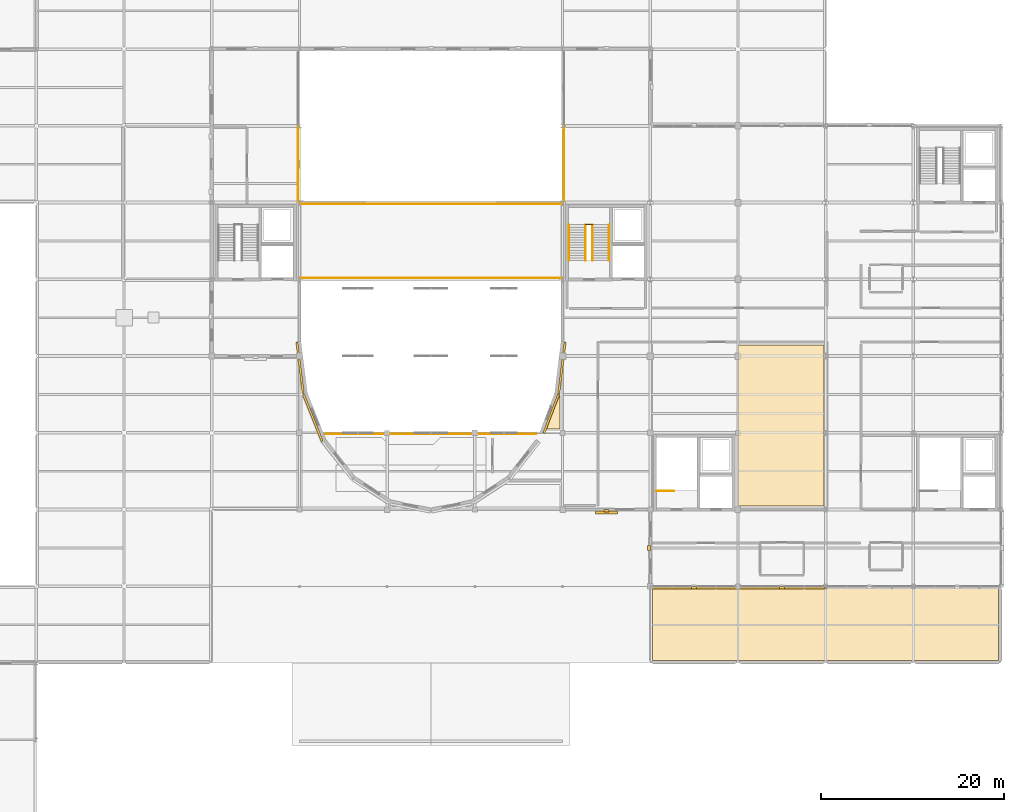
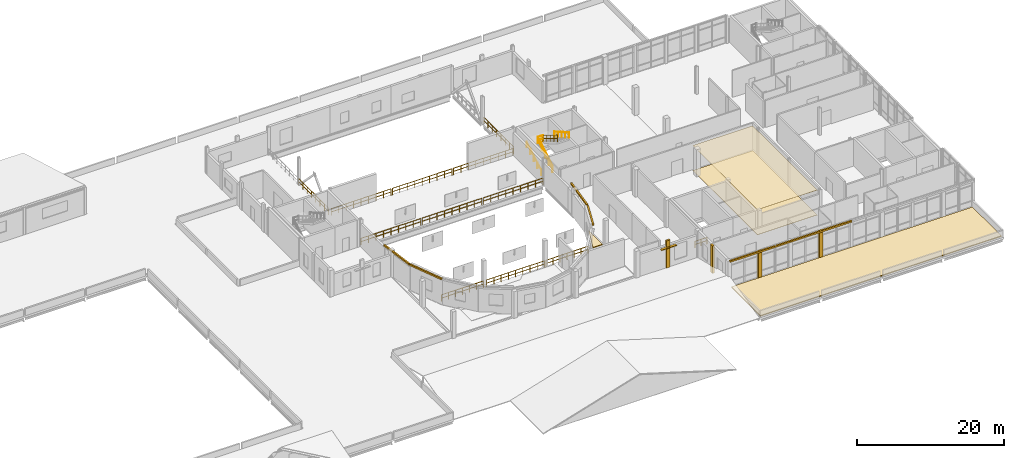
# One storey, part 50 of 52: 17 railings, 14 coverings, 1 shading device.
"""IFC4 building model written with IfcOpenShell, lengths in metres."""

from ifc_helpers import new_model, si_unit, direction, frame, origin, origin_2d, place, context, subcontext, project, spatial, polyline, rectangle, circle, outline, extrude, material, layer, layer_set, type_object, element, save


model = new_model("IFC4")

# Units and contexts
model_context = context("Model", 3, precision=1e-05, world=origin(), true_north=direction((0.0, 1.0)))
body_context = subcontext(model_context, "Body", "Model", "MODEL_VIEW")
ifc_project = project(units=[si_unit("LENGTHUNIT", "METRE"), si_unit("AREAUNIT", "SQUARE_METRE"), si_unit("VOLUMEUNIT", "CUBIC_METRE"), si_unit("PLANEANGLEUNIT", "RADIAN"), si_unit("MASSUNIT", "GRAM", prefix="KILO")], contexts=[model_context])

# Site, building, storey
site_placement = place(None, origin())
site = spatial("IfcSite", under=ifc_project, at=site_placement, CompositionType="ELEMENT")
building_placement = place(site_placement, origin())
building = spatial("IfcBuilding", under=site, at=building_placement, Name="Lornevale Opera House", CompositionType="ELEMENT")
storey_placement = place(building_placement, frame((0.0, 0.0, 15.0)))
storey = spatial("IfcBuildingStorey", under=building, at=storey_placement, Name="L04", CompositionType="ELEMENT", Elevation=15.0)

# Railings
ifc_material_1 = material(Name="Structural Steel CSA G40.21 Grade 350W (350 MPa)", Category="steel")
ifc_layer_1 = layer(ifc_material_1, 0.06005859375)
ifc_layer_set_1 = layer_set([ifc_layer_1], Name="Structural Steel CSA G40.21 Grade 350W (350 MPa)")
railing_type_1 = type_object("IfcRailingType", Name="Atrium Acoustic Balustrade 1120", PredefinedType="BALUSTRADE", material=ifc_layer_set_1)
railing_1_placement = place(storey_placement, frame((67.06005859375, 67.320068359375, 0.0)))
element("IfcRailing", 1, at=railing_1_placement, inside=storey, type_object=railing_type_1, Name="Atrium & Bowl Balustrade L04 0371", PredefinedType="BALUSTRADE", context=body_context, shape_type="SweptSolid", body=[
    extrude(circle(Radius=0.02392578125, at=origin_2d()), frame((0.0, 0.0, 1.09619140625), z_axis=(0.0, 1.0, 0.0), x_axis=(-1.0, 0.0, 0.0)), (0.0, 0.0, 1.0), 8.159912109375),
    extrude(circle(Radius=0.02392578125, at=origin_2d()), frame((0.0, 0.0, 0.56005859375), z_axis=(0.0, 1.0, 0.0), x_axis=(-1.0, 0.0, 0.0)), (0.0, 0.0, 1.0), 8.159912109375),
    extrude(circle(Radius=0.02099609375, at=origin_2d()), origin(), (0.0, 0.0, 1.0), 1.072021484375),
    extrude(circle(Radius=0.02099609375, at=origin_2d()), frame((0.0, 1.165771484375, 0.0)), (0.0, 0.0, 1.0), 1.072021484375),
    extrude(circle(Radius=0.02099609375, at=origin_2d()), frame((0.0, 2.331298828125, 0.0)), (0.0, 0.0, 1.0), 1.072021484375),
    extrude(circle(Radius=0.02099609375, at=origin_2d()), frame((0.0, 3.4970703125, 0.0)), (0.0, 0.0, 1.0), 1.072021484375),
    extrude(circle(Radius=0.02099609375, at=origin_2d()), frame((0.0, 4.662841796875, 0.0)), (0.0, 0.0, 1.0), 1.072021484375),
    extrude(circle(Radius=0.02099609375, at=origin_2d()), frame((0.0, 5.82861328125, 0.0)), (0.0, 0.0, 1.0), 1.072021484375),
    extrude(circle(Radius=0.02099609375, at=origin_2d()), frame((0.0, 6.994140625, 0.0)), (0.0, 0.0, 1.0), 1.072021484375),
    extrude(circle(Radius=0.02099609375, at=origin_2d()), frame((0.0, 8.159912109375, 0.0)), (0.0, 0.0, 1.0), 1.072021484375),
])
railing_2_placement = place(storey_placement, frame((70.10009765625, 41.860107421875, 0.0)))
element("IfcRailing", 2, at=railing_2_placement, inside=storey, type_object=railing_type_1, Name="Atrium & Bowl Balustrade L04 0373", PredefinedType="BALUSTRADE", context=body_context, shape_type="SweptSolid", body=[
    extrude(circle(Radius=0.02392578125, at=origin_2d()), frame((0.0, 0.0, 1.09619140625), z_axis=(1.0, 0.0, 0.0), x_axis=(0.0, 1.0, 0.0)), (0.0, 0.0, 1.0), 6.579833984375),
    extrude(circle(Radius=0.02392578125, at=origin_2d()), frame((0.0, 0.0, 0.56005859375), z_axis=(1.0, 0.0, 0.0), x_axis=(0.0, 1.0, 0.0)), (0.0, 0.0, 1.0), 6.579833984375),
    extrude(circle(Radius=0.02099609375, at=origin_2d()), origin(), (0.0, 0.0, 1.0), 1.072021484375),
    extrude(circle(Radius=0.02099609375, at=origin_2d()), frame((1.0966796875, 0.0, 0.0)), (0.0, 0.0, 1.0), 1.072021484375),
    extrude(circle(Radius=0.02099609375, at=origin_2d()), frame((2.193359375, 0.0, 0.0)), (0.0, 0.0, 1.0), 1.072021484375),
    extrude(circle(Radius=0.02099609375, at=origin_2d()), frame((3.2900390625, 0.0, 0.0)), (0.0, 0.0, 1.0), 1.072021484375),
    extrude(circle(Radius=0.02099609375, at=origin_2d()), frame((4.386474609375, 0.0, 0.0)), (0.0, 0.0, 1.0), 1.072021484375),
    extrude(circle(Radius=0.02099609375, at=origin_2d()), frame((5.483154296875, 0.0, 0.0)), (0.0, 0.0, 1.0), 1.072021484375),
    extrude(circle(Radius=0.02099609375, at=origin_2d()), frame((6.579833984375, 0.0, 0.0)), (0.0, 0.0, 1.0), 1.072021484375),
])
for number, where, name in (
    (3, (67.320068359375, 58.93994140625, 0.0), "Atrium & Bowl Balustrade L04 0374"),
    (4, (67.320068359375, 67.06005859375, 0.0), "Atrium & Bowl Balustrade L04 0375"),
):
    element("IfcRailing", number, at=place(storey_placement, frame(where)), inside=storey, type_object=railing_type_1, Name=name, PredefinedType="BALUSTRADE", context=body_context, shape_type="SweptSolid", body=[
        extrude(circle(Radius=0.02392578125, at=origin_2d()), frame((0.0, 0.0, 1.09619140625), z_axis=(1.0, 0.0, 0.0), x_axis=(0.0, 1.0, 0.0)), (0.0, 0.0, 1.0), 9.35986328125),
        extrude(circle(Radius=0.02392578125, at=origin_2d()), frame((0.0, 0.0, 0.56005859375), z_axis=(1.0, 0.0, 0.0), x_axis=(0.0, 1.0, 0.0)), (0.0, 0.0, 1.0), 9.35986328125),
        extrude(circle(Radius=0.02099609375, at=origin_2d()), origin(), (0.0, 0.0, 1.0), 1.072021484375),
        extrude(circle(Radius=0.02099609375, at=origin_2d()), frame((1.169921875, 0.0, 0.0)), (0.0, 0.0, 1.0), 1.072021484375),
        extrude(circle(Radius=0.02099609375, at=origin_2d()), frame((2.33984375, 0.0, 0.0)), (0.0, 0.0, 1.0), 1.072021484375),
        extrude(circle(Radius=0.02099609375, at=origin_2d()), frame((3.510009765625, 0.0, 0.0)), (0.0, 0.0, 1.0), 1.072021484375),
        extrude(circle(Radius=0.02099609375, at=origin_2d()), frame((4.679931640625, 0.0, 0.0)), (0.0, 0.0, 1.0), 1.072021484375),
        extrude(circle(Radius=0.02099609375, at=origin_2d()), frame((5.849853515625, 0.0, 0.0)), (0.0, 0.0, 1.0), 1.072021484375),
        extrude(circle(Radius=0.02099609375, at=origin_2d()), frame((7.02001953125, 0.0, 0.0)), (0.0, 0.0, 1.0), 1.072021484375),
        extrude(circle(Radius=0.02099609375, at=origin_2d()), frame((8.18994140625, 0.0, 0.0)), (0.0, 0.0, 1.0), 1.072021484375),
        extrude(circle(Radius=0.02099609375, at=origin_2d()), frame((9.35986328125, 0.0, 0.0)), (0.0, 0.0, 1.0), 1.072021484375),
    ])
railing_3_placement = place(storey_placement, frame((77.179931640625, 41.860107421875, 0.0)))
element("IfcRailing", 5, at=railing_3_placement, inside=storey, type_object=railing_type_1, Name="Atrium & Bowl Balustrade L04 0376", PredefinedType="BALUSTRADE", context=body_context, shape_type="SweptSolid", body=[
    extrude(circle(Radius=0.02392578125, at=origin_2d()), frame((0.0, 0.0, 1.09619140625), z_axis=(1.0, 0.0, 0.0), x_axis=(0.0, 1.0, 0.0)), (0.0, 0.0, 1.0), 9.10009765625),
    extrude(circle(Radius=0.02392578125, at=origin_2d()), frame((0.0, 0.0, 0.56005859375), z_axis=(1.0, 0.0, 0.0), x_axis=(0.0, 1.0, 0.0)), (0.0, 0.0, 1.0), 9.10009765625),
    extrude(circle(Radius=0.02099609375, at=origin_2d()), origin(), (0.0, 0.0, 1.0), 1.072021484375),
    extrude(circle(Radius=0.02099609375, at=origin_2d()), frame((1.137451171875, 0.0, 0.0)), (0.0, 0.0, 1.0), 1.072021484375),
    extrude(circle(Radius=0.02099609375, at=origin_2d()), frame((2.27490234375, 0.0, 0.0)), (0.0, 0.0, 1.0), 1.072021484375),
    extrude(circle(Radius=0.02099609375, at=origin_2d()), frame((3.41259765625, 0.0, 0.0)), (0.0, 0.0, 1.0), 1.072021484375),
    extrude(circle(Radius=0.02099609375, at=origin_2d()), frame((4.550048828125, 0.0, 0.0)), (0.0, 0.0, 1.0), 1.072021484375),
    extrude(circle(Radius=0.02099609375, at=origin_2d()), frame((5.6875, 0.0, 0.0)), (0.0, 0.0, 1.0), 1.072021484375),
    extrude(circle(Radius=0.02099609375, at=origin_2d()), frame((6.8251953125, 0.0, 0.0)), (0.0, 0.0, 1.0), 1.072021484375),
    extrude(circle(Radius=0.02099609375, at=origin_2d()), frame((7.962646484375, 0.0, 0.0)), (0.0, 0.0, 1.0), 1.072021484375),
    extrude(circle(Radius=0.02099609375, at=origin_2d()), frame((9.10009765625, 0.0, 0.0)), (0.0, 0.0, 1.0), 1.072021484375),
])
for number, where, name in (
    (6, (76.919921875, 58.93994140625, 0.0), "Atrium & Bowl Balustrade L04 0377"),
    (7, (76.919921875, 67.06005859375, 0.0), "Atrium & Bowl Balustrade L04 0378"),
):
    element("IfcRailing", number, at=place(storey_placement, frame(where)), inside=storey, type_object=railing_type_1, Name=name, PredefinedType="BALUSTRADE", context=body_context, shape_type="SweptSolid", body=[
        extrude(circle(Radius=0.02392578125, at=origin_2d()), frame((0.0, 0.0, 1.09619140625), z_axis=(1.0, 0.0, 0.0), x_axis=(0.0, 1.0, 0.0)), (0.0, 0.0, 1.0), 9.360107421875),
        extrude(circle(Radius=0.02392578125, at=origin_2d()), frame((0.0, 0.0, 0.56005859375), z_axis=(1.0, 0.0, 0.0), x_axis=(0.0, 1.0, 0.0)), (0.0, 0.0, 1.0), 9.360107421875),
        extrude(circle(Radius=0.02099609375, at=origin_2d()), origin(), (0.0, 0.0, 1.0), 1.072021484375),
        extrude(circle(Radius=0.02099609375, at=origin_2d()), frame((1.169921875, 0.0, 0.0)), (0.0, 0.0, 1.0), 1.072021484375),
        extrude(circle(Radius=0.02099609375, at=origin_2d()), frame((2.340087890625, 0.0, 0.0)), (0.0, 0.0, 1.0), 1.072021484375),
        extrude(circle(Radius=0.02099609375, at=origin_2d()), frame((3.510009765625, 0.0, 0.0)), (0.0, 0.0, 1.0), 1.072021484375),
        extrude(circle(Radius=0.02099609375, at=origin_2d()), frame((4.68017578125, 0.0, 0.0)), (0.0, 0.0, 1.0), 1.072021484375),
        extrude(circle(Radius=0.02099609375, at=origin_2d()), frame((5.85009765625, 0.0, 0.0)), (0.0, 0.0, 1.0), 1.072021484375),
        extrude(circle(Radius=0.02099609375, at=origin_2d()), frame((7.02001953125, 0.0, 0.0)), (0.0, 0.0, 1.0), 1.072021484375),
        extrude(circle(Radius=0.02099609375, at=origin_2d()), frame((8.190185546875, 0.0, 0.0)), (0.0, 0.0, 1.0), 1.072021484375),
        extrude(circle(Radius=0.02099609375, at=origin_2d()), frame((9.360107421875, 0.0, 0.0)), (0.0, 0.0, 1.0), 1.072021484375),
    ])
railing_4_placement = place(storey_placement, frame((86.52001953125, 41.860107421875, 0.0)))
element("IfcRailing", 8, at=railing_4_placement, inside=storey, type_object=railing_type_1, Name="Atrium & Bowl Balustrade L04 0379", PredefinedType="BALUSTRADE", context=body_context, shape_type="SweptSolid", body=[
    extrude(circle(Radius=0.02392578125, at=origin_2d()), frame((0.0, 0.0, 1.09619140625), z_axis=(1.0, 0.0, 0.0), x_axis=(0.0, 1.0, 0.0)), (0.0, 0.0, 1.0), 6.580078125),
    extrude(circle(Radius=0.02392578125, at=origin_2d()), frame((0.0, 0.0, 0.56005859375), z_axis=(1.0, 0.0, 0.0), x_axis=(0.0, 1.0, 0.0)), (0.0, 0.0, 1.0), 6.580078125),
    extrude(circle(Radius=0.02099609375, at=origin_2d()), origin(), (0.0, 0.0, 1.0), 1.072021484375),
    extrude(circle(Radius=0.02099609375, at=origin_2d()), frame((1.0966796875, 0.0, 0.0)), (0.0, 0.0, 1.0), 1.072021484375),
    extrude(circle(Radius=0.02099609375, at=origin_2d()), frame((2.193359375, 0.0, 0.0)), (0.0, 0.0, 1.0), 1.072021484375),
    extrude(circle(Radius=0.02099609375, at=origin_2d()), frame((3.2900390625, 0.0, 0.0)), (0.0, 0.0, 1.0), 1.072021484375),
    extrude(circle(Radius=0.02099609375, at=origin_2d()), frame((4.38671875, 0.0, 0.0)), (0.0, 0.0, 1.0), 1.072021484375),
    extrude(circle(Radius=0.02099609375, at=origin_2d()), frame((5.4833984375, 0.0, 0.0)), (0.0, 0.0, 1.0), 1.072021484375),
    extrude(circle(Radius=0.02099609375, at=origin_2d()), frame((6.580078125, 0.0, 0.0)), (0.0, 0.0, 1.0), 1.072021484375),
])
for number, where, name in (
    (9, (86.52001953125, 58.93994140625, 0.0), "Atrium & Bowl Balustrade L04 0380"),
    (10, (86.52001953125, 67.06005859375, 0.0), "Atrium & Bowl Balustrade L04 0381"),
):
    element("IfcRailing", number, at=place(storey_placement, frame(where)), inside=storey, type_object=railing_type_1, Name=name, PredefinedType="BALUSTRADE", context=body_context, shape_type="SweptSolid", body=[
        extrude(circle(Radius=0.02392578125, at=origin_2d()), frame((0.0, 0.0, 1.09619140625), z_axis=(1.0, 0.0, 0.0), x_axis=(0.0, 1.0, 0.0)), (0.0, 0.0, 1.0), 9.35986328125),
        extrude(circle(Radius=0.02392578125, at=origin_2d()), frame((0.0, 0.0, 0.56005859375), z_axis=(1.0, 0.0, 0.0), x_axis=(0.0, 1.0, 0.0)), (0.0, 0.0, 1.0), 9.35986328125),
        extrude(circle(Radius=0.02099609375, at=origin_2d()), origin(), (0.0, 0.0, 1.0), 1.072021484375),
        extrude(circle(Radius=0.02099609375, at=origin_2d()), frame((1.169921875, 0.0, 0.0)), (0.0, 0.0, 1.0), 1.072021484375),
        extrude(circle(Radius=0.02099609375, at=origin_2d()), frame((2.33984375, 0.0, 0.0)), (0.0, 0.0, 1.0), 1.072021484375),
        extrude(circle(Radius=0.02099609375, at=origin_2d()), frame((3.510009765625, 0.0, 0.0)), (0.0, 0.0, 1.0), 1.072021484375),
        extrude(circle(Radius=0.02099609375, at=origin_2d()), frame((4.679931640625, 0.0, 0.0)), (0.0, 0.0, 1.0), 1.072021484375),
        extrude(circle(Radius=0.02099609375, at=origin_2d()), frame((5.849853515625, 0.0, 0.0)), (0.0, 0.0, 1.0), 1.072021484375),
        extrude(circle(Radius=0.02099609375, at=origin_2d()), frame((7.02001953125, 0.0, 0.0)), (0.0, 0.0, 1.0), 1.072021484375),
        extrude(circle(Radius=0.02099609375, at=origin_2d()), frame((8.18994140625, 0.0, 0.0)), (0.0, 0.0, 1.0), 1.072021484375),
        extrude(circle(Radius=0.02099609375, at=origin_2d()), frame((9.35986328125, 0.0, 0.0)), (0.0, 0.0, 1.0), 1.072021484375),
    ])
railing_5_placement = place(storey_placement, frame((96.139892578125, 67.320068359375, 0.0)))
element("IfcRailing", 11, at=railing_5_placement, inside=storey, type_object=railing_type_1, Name="Atrium & Bowl Balustrade L04 0382", PredefinedType="BALUSTRADE", context=body_context, shape_type="SweptSolid", body=[
    extrude(circle(Radius=0.02392578125, at=origin_2d()), frame((0.0, 0.0, 1.09619140625), z_axis=(0.0, 1.0, 0.0), x_axis=(-1.0, 0.0, 0.0)), (0.0, 0.0, 1.0), 8.159912109375),
    extrude(circle(Radius=0.02392578125, at=origin_2d()), frame((0.0, 0.0, 0.56005859375), z_axis=(0.0, 1.0, 0.0), x_axis=(-1.0, 0.0, 0.0)), (0.0, 0.0, 1.0), 8.159912109375),
    extrude(circle(Radius=0.02099609375, at=origin_2d()), origin(), (0.0, 0.0, 1.0), 1.072021484375),
    extrude(circle(Radius=0.02099609375, at=origin_2d()), frame((0.0, 1.165771484375, 0.0)), (0.0, 0.0, 1.0), 1.072021484375),
    extrude(circle(Radius=0.02099609375, at=origin_2d()), frame((0.0, 2.331298828125, 0.0)), (0.0, 0.0, 1.0), 1.072021484375),
    extrude(circle(Radius=0.02099609375, at=origin_2d()), frame((0.0, 3.4970703125, 0.0)), (0.0, 0.0, 1.0), 1.072021484375),
    extrude(circle(Radius=0.02099609375, at=origin_2d()), frame((0.0, 4.662841796875, 0.0)), (0.0, 0.0, 1.0), 1.072021484375),
    extrude(circle(Radius=0.02099609375, at=origin_2d()), frame((0.0, 5.82861328125, 0.0)), (0.0, 0.0, 1.0), 1.072021484375),
    extrude(circle(Radius=0.02099609375, at=origin_2d()), frame((0.0, 6.994140625, 0.0)), (0.0, 0.0, 1.0), 1.072021484375),
    extrude(circle(Radius=0.02099609375, at=origin_2d()), frame((0.0, 8.159912109375, 0.0)), (0.0, 0.0, 1.0), 1.072021484375),
])

# Coverings
ifc_material_2 = material(Name="Vegetated Extensive Green Roof Assembly")
ifc_layer_2 = layer(ifc_material_2, 0.159912109375)
ifc_layer_set_2 = layer_set([ifc_layer_2], Name="Vegetated Extensive Green Roof Assembly")
covering_type_1 = type_object("IfcCoveringType", Name="Chapter 492 Green Roof Covering", PredefinedType="ROOFING", material=ifc_layer_set_2)
covering_1_placement = place(storey_placement, origin())
element("IfcCovering", 12, at=covering_1_placement, inside=storey, type_object=covering_type_1, Name="Chapter 492 Green Roof Covering 0568", PredefinedType="ROOFING", context=body_context, shape_type="SweptSolid", body=[
    extrude(outline(polyline([(105.860107421875, 17.06005859375), (105.860107421875, 24.93994140625), (143.739990234375, 24.93994140625), (143.739990234375, 17.06005859375), (105.860107421875, 17.06005859375)])), origin(), (0.0, 0.0, 1.0), 0.159912109375),
])
covering_2_placement = place(storey_placement, origin())
element("IfcCovering", 13, at=covering_2_placement, inside=storey, type_object=covering_type_1, Name="Chapter 492 Green Roof Covering 0576", PredefinedType="ROOFING", context=body_context, shape_type="SweptSolid", body=[
    extrude(outline(polyline([(95.739990234375, 42.43994140625), (94.22412109375, 42.43994140625), (95.7041015625, 46.15087890625), (95.7080078125, 46.160888671875), (95.712890625, 46.176025390625), (95.718994140625, 46.197021484375), (95.722900390625, 46.2119140625), (95.72802734375, 46.23388671875), (95.72998046875, 46.2490234375), (95.73193359375, 46.260009765625), (95.739990234375, 46.326904296875), (95.739990234375, 42.43994140625)])), origin(), (0.0, 0.0, 1.0), 0.159912109375),
])
ifc_material_3 = material(Name="Precast Concrete 40 MPa (CSA A23.1 C-1)", Category="concrete")
ifc_layer_3 = layer(ifc_material_3, 0.260009765625)
ifc_layer_set_3 = layer_set([ifc_layer_3], Name="Precast Concrete 40 MPa (CSA A23.1 C-1)")
covering_type_2 = type_object("IfcCoveringType", Name="Postmodern Sandstone Pilaster Rib", PredefinedType="CLADDING", material=ifc_layer_set_3)
covering_3_placement = place(storey_placement, origin())
element("IfcCovering", 14, at=covering_3_placement, inside=storey, type_object=covering_type_2, Name="Postmodern Sandstone Pilaster 0379", PredefinedType="CLADDING", context=body_context, shape_type="SweptSolid", body=[
    extrude(outline(polyline([(101.092041015625, 33.60009765625), (100.531982421875, 33.60009765625), (100.531982421875, 33.320068359375), (101.092041015625, 33.320068359375), (101.092041015625, 33.60009765625)])), origin(), (0.0, 0.0, 1.0), 4.56005859375),
])
covering_4_placement = place(storey_placement, origin())
element("IfcCovering", 15, at=covering_4_placement, inside=storey, type_object=covering_type_2, Name="Postmodern Sandstone Mullion Pier 0382", PredefinedType="CLADDING", context=body_context, shape_type="SweptSolid", body=[
    extrude(outline(polyline([(110.679931640625, 25.199951171875), (110.1201171875, 25.199951171875), (110.1201171875, 24.919921875), (110.679931640625, 24.919921875), (110.679931640625, 25.199951171875)])), origin(), (0.0, 0.0, 1.0), 4.56005859375),
])
covering_5_placement = place(storey_placement, origin())
element("IfcCovering", 16, at=covering_5_placement, inside=storey, type_object=covering_type_2, Name="Postmodern Sandstone Pilaster 0384", PredefinedType="CLADDING", context=body_context, shape_type="SweptSolid", body=[
    extrude(outline(polyline([(105.60009765625, 29.133056640625), (105.60009765625, 29.693115234375), (105.320068359375, 29.693115234375), (105.320068359375, 29.133056640625), (105.60009765625, 29.133056640625)])), origin(), (0.0, 0.0, 1.0), 4.56005859375),
])
covering_6_placement = place(storey_placement, origin())
element("IfcCovering", 17, at=covering_6_placement, inside=storey, type_object=covering_type_2, Name="Postmodern Sandstone Mullion Pier 0387", PredefinedType="CLADDING", context=body_context, shape_type="SweptSolid", body=[
    extrude(outline(polyline([(120.280029296875, 25.199951171875), (119.719970703125, 25.199951171875), (119.719970703125, 24.919921875), (120.280029296875, 24.919921875), (120.280029296875, 25.199951171875)])), origin(), (0.0, 0.0, 1.0), 4.56005859375),
])

# Shading device
ifc_material_4 = material(Name="Architectural Bronze Solar Louvre Alloy", Category="metal")
ifc_layer_4 = layer(ifc_material_4, 0.1201171875)
ifc_layer_set_4 = layer_set([ifc_layer_4], Name="Architectural Bronze Solar Louvre Alloy")
shading_device_type = type_object("IfcShadingDeviceType", Name="Postmodern Solar Brise-Soleil", PredefinedType="JALOUSIE", material=ifc_layer_set_4)
shading_device_placement = place(storey_placement, frame((100.81201171875, 33.280029296875, 3.369873046875), z_axis=(0.0, 0.0, 1.0), x_axis=(1.0, 0.0, 0.0)))
element("IfcShadingDevice", 18, at=shading_device_placement, inside=storey, type_object=shading_device_type, Name="Postmodern Solar Brise-Soleil SH-006", PredefinedType="JALOUSIE", context=body_context, shape_type="SweptSolid", body=[
    extrude(rectangle(XDim=2.39990234375, YDim=0.360107421875, at=origin_2d()), origin(), (0.0, 0.0, 1.0), 0.1201171875),
])

# Coverings
ifc_material_5 = material(Name="Queenston Buff Limestone Ashlar Masonry (25 MPa)", Category="masonry")
ifc_layer_5 = layer(ifc_material_5, 0.1201171875)
ifc_layer_set_5 = layer_set([ifc_layer_5], Name="Queenston Buff Limestone Ashlar Masonry (25 MPa)")
covering_type_3 = type_object("IfcCoveringType", Name="Precast Limestone Cornice Band", PredefinedType="CLADDING", material=ifc_layer_set_5)
covering_7_placement = place(storey_placement, frame((0.0, 0.0, 4.300048828125)))
element("IfcCovering", 19, at=covering_7_placement, inside=storey, type_object=covering_type_3, Name="Precast Limestone Cornice Band 0383", PredefinedType="CLADDING", context=body_context, shape_type="SweptSolid", body=[
    extrude(outline(polyline([(115.199951171875, 25.1201171875), (105.60009765625, 25.1201171875), (105.60009765625, 24.8798828125), (115.199951171875, 24.8798828125), (115.199951171875, 25.1201171875)])), origin(), (0.0, 0.0, 1.0), 0.260009765625),
])
covering_8_placement = place(storey_placement, frame((0.0, 0.0, 4.300048828125)))
element("IfcCovering", 20, at=covering_8_placement, inside=storey, type_object=covering_type_3, Name="Precast Limestone Cornice Band 0388", PredefinedType="CLADDING", context=body_context, shape_type="SweptSolid", body=[
    extrude(outline(polyline([(124.800048828125, 25.1201171875), (115.199951171875, 25.1201171875), (115.199951171875, 24.8798828125), (124.800048828125, 24.8798828125), (124.800048828125, 25.1201171875)])), origin(), (0.0, 0.0, 1.0), 0.260009765625),
])
covering_9_placement = place(storey_placement, frame((0.0, 0.0, 4.219970703125)))
element("IfcCovering", 21, at=covering_9_placement, inside=storey, type_object=covering_type_3, Name="Drum Limestone Cornice 0532", PredefinedType="CLADDING", context=body_context, shape_type="SweptSolid", body=[
    extrude(outline(polyline([(67.032958984375, 51.967041015625), (67.735107421875, 46.304931640625), (67.507080078125, 46.277099609375), (66.804931640625, 51.93896484375), (67.032958984375, 51.967041015625)])), origin(), (0.0, 0.0, 1.0), 0.260009765625),
])
covering_10_placement = place(storey_placement, frame((0.0, 0.0, 4.219970703125)))
element("IfcCovering", 22, at=covering_10_placement, inside=storey, type_object=covering_type_3, Name="Drum Limestone Cornice 0533", PredefinedType="CLADDING", context=body_context, shape_type="SweptSolid", body=[
    extrude(outline(polyline([(67.7509765625, 46.239990234375), (69.7880859375, 41.133056640625), (69.573974609375, 41.048095703125), (67.5380859375, 46.155029296875), (67.7509765625, 46.239990234375)])), origin(), (0.0, 0.0, 1.0), 0.260009765625),
])
covering_11_placement = place(storey_placement, frame((0.0, 0.0, 4.219970703125)))
element("IfcCovering", 23, at=covering_11_placement, inside=storey, type_object=covering_type_3, Name="Drum Limestone Cornice 0540", PredefinedType="CLADDING", context=body_context, shape_type="SweptSolid", body=[
    extrude(outline(polyline([(93.85302734375, 42.0009765625), (95.449951171875, 46.242919921875), (95.6650390625, 46.162109375), (94.069091796875, 41.919921875), (93.85302734375, 42.0009765625)])), origin(), (0.0, 0.0, 1.0), 0.260009765625),
])
covering_12_placement = place(storey_placement, frame((0.0, 0.0, 4.219970703125)))
element("IfcCovering", 24, at=covering_12_placement, inside=storey, type_object=covering_type_3, Name="Drum Limestone Cornice 0541", PredefinedType="CLADDING", context=body_context, shape_type="SweptSolid", body=[
    extrude(outline(polyline([(95.465087890625, 46.304931640625), (96.1669921875, 51.967041015625), (96.39501953125, 51.93896484375), (95.693115234375, 46.277099609375), (95.465087890625, 46.304931640625)])), origin(), (0.0, 0.0, 1.0), 0.260009765625),
])
ifc_material_6 = material(Name="Credit Valley Sandstone Ashlar Masonry (25 MPa)", Category="masonry")
ifc_layer_6 = layer(ifc_material_6, 0.054931640625)
ifc_layer_set_6 = layer_set([ifc_layer_6], Name="Credit Valley Sandstone Ashlar Masonry (25 MPa)")
covering_type_4 = type_object("IfcCoveringType", Name="Sandstone Forecourt Paving", PredefinedType="FLOORING", material=ifc_layer_set_6)
covering_13_placement = place(storey_placement, origin())
element("IfcCovering", 25, at=covering_13_placement, inside=storey, type_object=covering_type_4, Name="Architectural Stone & Timber Flooring 06", PredefinedType="FLOORING", context=body_context, shape_type="SweptSolid", body=[
    extrude(outline(polyline([(115.199951171875, 34.0), (124.60009765625, 34.0), (124.60009765625, 51.60009765625), (115.199951171875, 51.60009765625), (115.199951171875, 34.0)])), origin(), (0.0, 0.0, 1.0), 0.054931640625),
])

# Railings
ifc_layer_7 = layer(ifc_material_1, 0.050048828125)
ifc_layer_set_7 = layer_set([ifc_layer_7], Name="Structural Steel CSA G40.21 Grade 350W (350 MPa)")
railing_type_2 = type_object("IfcRailingType", Name="Stair Well Guardrail 1100", PredefinedType="GUARDRAIL", material=ifc_layer_set_7)
railing_6_placement = place(storey_placement, frame((106.300048828125, 35.6201171875, 0.0)))
element("IfcRailing", 26, at=railing_6_placement, inside=storey, type_object=railing_type_2, Name="ST-08 Top Floor Well Guard", PredefinedType="GUARDRAIL", context=body_context, shape_type="SweptSolid", body=[
    extrude(circle(Radius=0.02392578125, at=origin_2d()), frame((0.0, 0.0, 1.076171875), z_axis=(1.0, 0.0, 0.0), x_axis=(0.0, 1.0, 0.0)), (0.0, 0.0, 1.0), 1.8798828125),
    extrude(circle(Radius=0.02392578125, at=origin_2d()), frame((0.0, 0.0, 0.550048828125), z_axis=(1.0, 0.0, 0.0), x_axis=(0.0, 1.0, 0.0)), (0.0, 0.0, 1.0), 1.8798828125),
    extrude(circle(Radius=0.02099609375, at=origin_2d()), origin(), (0.0, 0.0, 1.0), 1.052001953125),
    extrude(circle(Radius=0.02099609375, at=origin_2d()), frame((0.93994140625, 0.0, 0.0)), (0.0, 0.0, 1.0), 1.052001953125),
    extrude(circle(Radius=0.02099609375, at=origin_2d()), frame((1.8798828125, 0.0, 0.0)), (0.0, 0.0, 1.0), 1.052001953125),
])
railing_7_placement = place(storey_placement, frame((98.52001953125, 60.860107421875, 0.0)))
element("IfcRailing", 27, at=railing_7_placement, inside=storey, type_object=railing_type_2, Name="ST-25 Inner Well Guard F1", PredefinedType="GUARDRAIL", context=body_context, shape_type="SweptSolid", body=[
    extrude(circle(Radius=0.02392578125, at=origin_2d()), frame((0.0, 0.0, 1.076171875), z_axis=(0.0, 0.852856131449, 0.522145974847), x_axis=(-1.0, 0.0, 0.0)), (0.0, 0.0, 1.0), 4.59619140625),
    extrude(circle(Radius=0.02392578125, at=origin_2d()), frame((0.0, 0.0, 0.550048828125), z_axis=(0.0, 0.852856131449, 0.522145974847), x_axis=(-1.0, 0.0, 0.0)), (0.0, 0.0, 1.0), 4.59619140625),
    extrude(circle(Radius=0.02099609375, at=origin_2d()), origin(), (0.0, 0.0, 1.0), 1.052001953125),
    extrude(circle(Radius=0.02099609375, at=origin_2d()), frame((0.0, 0.97998046875, 0.60009765625)), (0.0, 0.0, 1.0), 1.052001953125),
    extrude(circle(Radius=0.02099609375, at=origin_2d()), frame((0.0, 1.9599609375, 1.199951171875)), (0.0, 0.0, 1.0), 1.052001953125),
    extrude(circle(Radius=0.02099609375, at=origin_2d()), frame((0.0, 2.93994140625, 1.7998046875)), (0.0, 0.0, 1.0), 1.052001953125),
    extrude(circle(Radius=0.02099609375, at=origin_2d()), frame((0.0, 3.919921875, 2.39990234375)), (0.0, 0.0, 1.0), 1.052001953125),
])
railing_8_placement = place(storey_placement, frame((99.280029296875, 64.780029296875, 2.39990234375)))
element("IfcRailing", 28, at=railing_8_placement, inside=storey, type_object=railing_type_2, Name="ST-25 Inner Well Guard F2", PredefinedType="GUARDRAIL", context=body_context, shape_type="SweptSolid", body=[
    extrude(circle(Radius=0.02392578125, at=origin_2d()), frame((0.0, 0.0, 1.076171875), z_axis=(0.0, -0.852832477147, 0.522184609045), x_axis=(1.0, 0.0, 0.0)), (0.0, 0.0, 1.0), 4.596435546875),
    extrude(circle(Radius=0.02392578125, at=origin_2d()), frame((0.0, 0.0, 0.550048828125), z_axis=(0.0, -0.852832477147, 0.522184609045), x_axis=(1.0, 0.0, 0.0)), (0.0, 0.0, 1.0), 4.596435546875),
    extrude(circle(Radius=0.02099609375, at=origin_2d()), origin(), (0.0, 0.0, 1.0), 1.052001953125),
    extrude(circle(Radius=0.02099609375, at=origin_2d()), frame((0.0, -0.97998046875, 0.60009765625)), (0.0, 0.0, 1.0), 1.052001953125),
    extrude(circle(Radius=0.02099609375, at=origin_2d()), frame((0.0, -1.9599609375, 1.2001953125)), (0.0, 0.0, 1.0), 1.052001953125),
    extrude(circle(Radius=0.02099609375, at=origin_2d()), frame((0.0, -2.93994140625, 1.800048828125)), (0.0, 0.0, 1.0), 1.052001953125),
    extrude(circle(Radius=0.02099609375, at=origin_2d()), frame((0.0, -3.919921875, 2.400146484375)), (0.0, 0.0, 1.0), 1.052001953125),
])
railing_9_placement = place(storey_placement, frame((98.52001953125, 64.81005859375, 2.39990234375)))
element("IfcRailing", 29, at=railing_9_placement, inside=storey, type_object=railing_type_2, Name="ST-25 Half-Landing Slot Guard", PredefinedType="GUARDRAIL", context=body_context, shape_type="SweptSolid", body=[
    extrude(circle(Radius=0.02392578125, at=origin_2d()), frame((0.0, 0.0, 1.076171875), z_axis=(1.0, 0.0, 0.0), x_axis=(0.0, 1.0, 0.0)), (0.0, 0.0, 1.0), 0.760009765625),
    extrude(circle(Radius=0.02392578125, at=origin_2d()), frame((0.0, 0.0, 0.550048828125), z_axis=(1.0, 0.0, 0.0), x_axis=(0.0, 1.0, 0.0)), (0.0, 0.0, 1.0), 0.760009765625),
    extrude(circle(Radius=0.02099609375, at=origin_2d()), origin(), (0.0, 0.0, 1.0), 1.052001953125),
    extrude(circle(Radius=0.02099609375, at=origin_2d()), frame((0.760009765625, 0.0, 0.0)), (0.0, 0.0, 1.0), 1.052001953125),
])
ifc_layer_8 = layer(ifc_material_1, 0.048095703125)
ifc_layer_set_8 = layer_set([ifc_layer_8], Name="Structural Steel CSA G40.21 Grade 350W (350 MPa)")
railing_type_3 = type_object("IfcRailingType", Name="Tubular Stair Handrail 915", PredefinedType="HANDRAIL", material=ifc_layer_set_8)
railing_10_placement = place(storey_placement, frame((96.719970703125, 60.860107421875, 0.1630859375)))
element("IfcRailing", 30, at=railing_10_placement, inside=storey, type_object=railing_type_3, Name="ST-25 Outer Handrail F1", PredefinedType="HANDRAIL", context=body_context, shape_type="SweptSolid", body=[
    extrude(circle(Radius=0.02392578125, at=origin_2d()), frame((0.0, 0.0, 0.89111328125), z_axis=(0.0, 0.868239814368, 0.496144761885), x_axis=(-1.0, 0.0, 0.0)), (0.0, 0.0, 1.0), 4.514892578125),
    extrude(circle(Radius=0.02099609375, at=origin_2d()), origin(), (0.0, 0.0, 1.0), 0.866943359375),
    extrude(circle(Radius=0.02099609375, at=origin_2d()), frame((0.0, 0.97998046875, 0.56005859375)), (0.0, 0.0, 1.0), 0.866943359375),
    extrude(circle(Radius=0.02099609375, at=origin_2d()), frame((0.0, 1.9599609375, 1.1201171875)), (0.0, 0.0, 1.0), 0.866943359375),
    extrude(circle(Radius=0.02099609375, at=origin_2d()), frame((0.0, 2.93994140625, 1.679931640625)), (0.0, 0.0, 1.0), 0.866943359375),
    extrude(circle(Radius=0.02099609375, at=origin_2d()), frame((0.0, 3.919921875, 2.239990234375)), (0.0, 0.0, 1.0), 0.866943359375),
])
railing_11_placement = place(storey_placement, frame((101.080078125, 64.780029296875, 2.56298828125)))
element("IfcRailing", 31, at=railing_11_placement, inside=storey, type_object=railing_type_3, Name="ST-25 Outer Handrail F2", PredefinedType="HANDRAIL", context=body_context, shape_type="SweptSolid", body=[
    extrude(circle(Radius=0.02392578125, at=origin_2d()), frame((0.0, 0.0, 0.89111328125), z_axis=(0.0, -0.868239814368, 0.496144761885), x_axis=(1.0, 0.0, 0.0)), (0.0, 0.0, 1.0), 4.514892578125),
    extrude(circle(Radius=0.02099609375, at=origin_2d()), origin(), (0.0, 0.0, 1.0), 0.866943359375),
    extrude(circle(Radius=0.02099609375, at=origin_2d()), frame((0.0, -0.97998046875, 0.56005859375)), (0.0, 0.0, 1.0), 0.866943359375),
    extrude(circle(Radius=0.02099609375, at=origin_2d()), frame((0.0, -1.9599609375, 1.1201171875)), (0.0, 0.0, 1.0), 0.866943359375),
    extrude(circle(Radius=0.02099609375, at=origin_2d()), frame((0.0, -2.93994140625, 1.679931640625)), (0.0, 0.0, 1.0), 0.866943359375),
    extrude(circle(Radius=0.02099609375, at=origin_2d()), frame((0.0, -3.919921875, 2.239990234375)), (0.0, 0.0, 1.0), 0.866943359375),
])

# Covering
ifc_material_7 = material(Name="White Oak Acoustic Panelling", Category="wood")
ifc_layer_9 = layer(ifc_material_7, 0.050048828125)
ifc_layer_set_9 = layer_set([ifc_layer_9], Name="White Oak Acoustic Panelling")
covering_type_5 = type_object("IfcCoveringType", Name="White Oak Acoustic Ceiling Liner", PredefinedType="CEILING", material=ifc_layer_set_9)
covering_14_placement = place(storey_placement, frame((0.0, 0.0, 4.14990234375)))
element("IfcCovering", 32, at=covering_14_placement, inside=storey, type_object=covering_type_5, Name="White Oak Acoustic Ceiling Liner 05", PredefinedType="CEILING", context=body_context, shape_type="SweptSolid", body=[
    extrude(outline(polyline([(115.199951171875, 34.0), (124.60009765625, 34.0), (124.60009765625, 51.60009765625), (115.199951171875, 51.60009765625), (115.199951171875, 34.0)])), origin(), (0.0, 0.0, 1.0), 0.050048828125),
])

save(model, "model.ifc")
